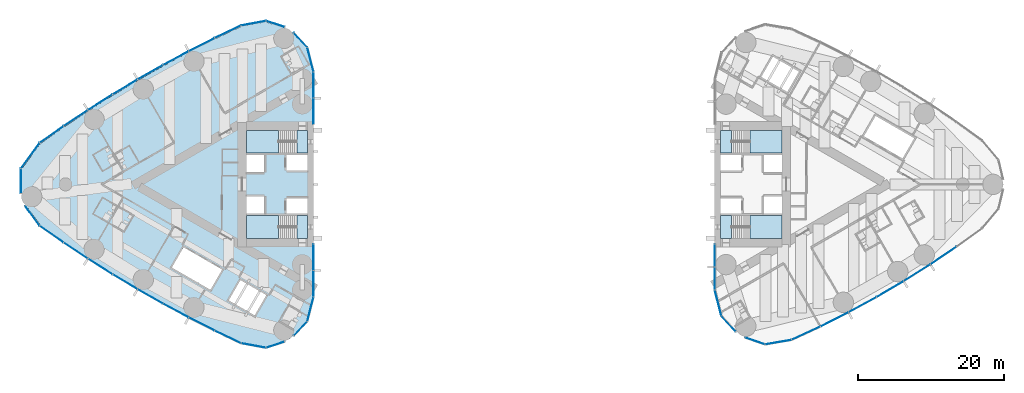
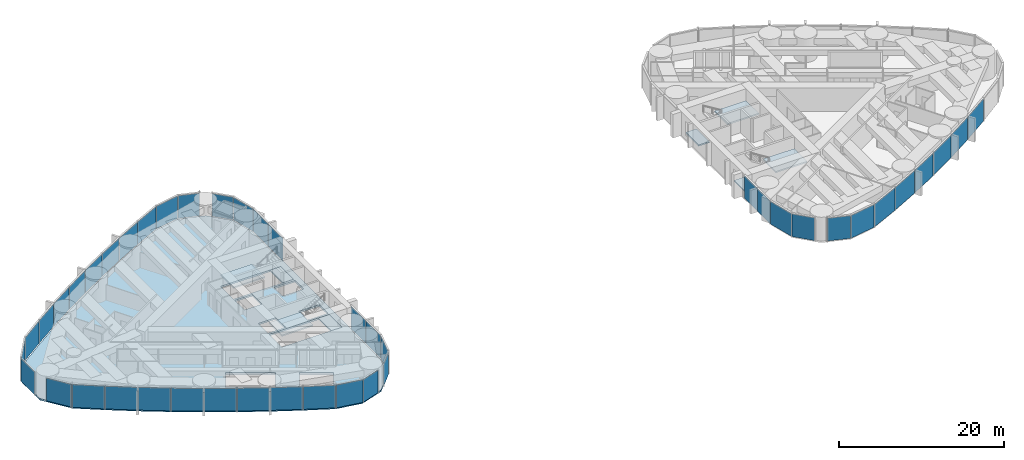
# One storey, part 10 of 19: 43 plates, 9 slabs, 10 elements without a shape of their own.
"""IFC4 building model written with IfcOpenShell, lengths in metres."""

from ifc_helpers import new_model, si_unit, direction, frame, origin, origin_2d, place, context, subcontext, project, spatial, polyline, rectangle, outline, extrude, material, layer, layer_set, type_object, element, aggregate, save


model = new_model("IFC4")

# Units and contexts
model_context = context("Model", 3, precision=1e-05, world=origin(), true_north=direction((0.0, 1.0)))
body_context = subcontext(model_context, "Body", "Model", "MODEL_VIEW")
ifc_project = project(units=[si_unit("LENGTHUNIT", "METRE"), si_unit("AREAUNIT", "SQUARE_METRE"), si_unit("VOLUMEUNIT", "CUBIC_METRE"), si_unit("PLANEANGLEUNIT", "RADIAN"), si_unit("MASSUNIT", "GRAM", prefix="KILO")], contexts=[model_context])

# Site, building, storey
site_placement = place(None, origin())
site = spatial("IfcSite", under=ifc_project, at=site_placement, CompositionType="ELEMENT")
building_placement = place(site_placement, origin())
building = spatial("IfcBuilding", under=site, at=building_placement, Name="Lancet Gate Hotel", CompositionType="ELEMENT")
storey_placement = place(building_placement, frame((0.0, 0.0, 159.800048828125)))
storey = spatial("IfcBuildingStorey", under=building, at=storey_placement, Name="L42", CompositionType="ELEMENT", Elevation=159.800048828125)

# Slab
ifc_material_1 = material(Name="Concrete C50/60", Category="concrete")
ifc_layer_1 = layer(ifc_material_1, 0.25)
ifc_layer_set_1 = layer_set([ifc_layer_1], Name="Floor slab 250")
slab_type_1 = type_object("IfcSlabType", Name="Floor slab 250", PredefinedType="FLOOR", material=ifc_layer_set_1)
slab_1_placement = place(storey_placement, frame((0.0, 0.0, -0.25)))
element("IfcSlab", 1, at=slab_1_placement, inside=storey, type_object=slab_type_1, Name="T1 L42 floor slab", PredefinedType="FLOOR", context=body_context, shape_type="SweptSolid", body=[
    extrude(outline(polyline([(-27.5, 8.60009765625), (-27.6201171875, 8.60009765625), (-27.6201171875, 15.408203125), (-28.46923828125, 18.7265625), (-30.797607421875, 21.217529296875), (-34.0361328125, 22.283935546875), (-37.403564453125, 21.660400390625), (-40.996826171875, 19.9453125), (-44.561767578125, 18.139404296875), (-48.0830078125, 16.250244140625), (-51.558837890625, 14.27880859375), (-54.987548828125, 12.22607421875), (-58.366943359375, 10.09326171875), (-61.695068359375, 7.881591796875), (-64.955322265625, 5.602783203125), (-67.49560546875, 2.138427734375), (-67.49560546875, -2.138427734375), (-64.955322265625, -5.602783203125), (-61.695068359375, -7.881591796875), (-58.366943359375, -10.09326171875), (-54.987548828125, -12.22607421875), (-51.558837890625, -14.27880859375), (-48.0830078125, -16.250244140625), (-44.561767578125, -18.139404296875), (-40.996826171875, -19.9453125), (-37.403564453125, -21.660400390625), (-34.0361328125, -22.283935546875), (-30.797607421875, -21.217529296875), (-28.46923828125, -18.7265625), (-27.6201171875, -15.408203125), (-27.6201171875, -8.60009765625), (-27.5, -8.60009765625), (-27.5, -8.199951171875), (-27.5, 8.199951171875), (-27.5, 8.60009765625)]), holes=[polyline([(-36.699951171875, 7.39990234375), (-36.699951171875, 4.300048828125), (-28.300048828125, 4.300048828125), (-28.300048828125, 7.39990234375), (-36.699951171875, 7.39990234375)]), polyline([(-28.300048828125, 4.0), (-31.199951171875, 4.0), (-31.199951171875, 1.89990234375), (-28.300048828125, 1.89990234375), (-28.300048828125, 4.0)]), polyline([(-34.25, 4.0), (-36.699951171875, 4.0), (-36.699951171875, 1.64990234375), (-34.25, 1.64990234375), (-34.25, 4.0)]), polyline([(-36.699951171875, -1.64990234375), (-36.699951171875, -4.0), (-34.25, -4.0), (-34.25, -1.64990234375), (-36.699951171875, -1.64990234375)]), polyline([(-28.300048828125, -1.89990234375), (-31.199951171875, -1.89990234375), (-31.199951171875, -4.0), (-28.300048828125, -4.0), (-28.300048828125, -1.89990234375)]), polyline([(-28.300048828125, -4.300048828125), (-36.699951171875, -4.300048828125), (-36.699951171875, -7.39990234375), (-28.300048828125, -7.39990234375), (-28.300048828125, -4.300048828125)]), polyline([(-40.035888671875, -11.680908203125), (-45.319091796875, -8.631103515625), (-46.9189453125, -11.402099609375), (-41.635986328125, -14.451904296875), (-40.035888671875, -11.680908203125)]), polyline([(-33.97412109375, -15.180908203125), (-37.52490234375, -13.131103515625), (-39.125, -15.902099609375), (-35.573974609375, -17.951904296875), (-33.97412109375, -15.180908203125)])]), origin(), (0.0, 0.0, 1.0), 0.25),
])

# Stair, slabs
ifc_material_2 = material(Name="Exit stair 20 risers 1500")
stair_type = type_object("IfcStairType", Name="Exit stair 20 risers 1500", PredefinedType="HALF_TURN_STAIR", material=ifc_material_2)
stair_1_placement = place(storey_placement, origin())
stair_1 = element("IfcStair", 2, at=stair_1_placement, inside=storey, type_object=stair_type, Name="T1 stair 1 L42", PredefinedType="HALF_TURN_STAIR")
ifc_material_3 = material(Name="Concrete C40/50", Category="concrete")
ifc_layer_2 = layer(ifc_material_3, 0.199951171875)
ifc_layer_set_2 = layer_set([ifc_layer_2], Name="Stair landing 200")
slab_type_2 = type_object("IfcSlabType", Name="Stair landing 200", PredefinedType="LANDING", material=ifc_layer_set_2)
slab_2_placement = place(storey_placement, frame((0.0, 0.0, -0.199951171875)))
slab_2 = element("IfcSlab", 3, at=slab_2_placement, type_object=slab_type_2, Name="ST1 landing 1", PredefinedType="LANDING", context=body_context, shape_type="SweptSolid", body=[
    extrude(outline(polyline([(-28.300048828125, 7.39990234375), (-29.800048828125, 7.39990234375), (-29.800048828125, 4.300048828125), (-28.300048828125, 4.300048828125), (-28.300048828125, 7.39990234375)])), origin(), (0.0, 0.0, 1.0), 0.199951171875),
])
slab_3_placement = place(storey_placement, frame((0.0, 0.0, 1.550048828125)))
slab_3 = element("IfcSlab", 4, at=slab_3_placement, type_object=slab_type_2, Name="ST1 landing 2", PredefinedType="LANDING", context=body_context, shape_type="SweptSolid", body=[
    extrude(outline(polyline([(-32.320068359375, 7.39990234375), (-36.699951171875, 7.39990234375), (-36.699951171875, 4.300048828125), (-32.320068359375, 4.300048828125), (-32.320068359375, 7.39990234375)])), origin(), (0.0, 0.0, 1.0), 0.199951171875),
])
aggregate(stair_1, [slab_2, slab_3])

stair_2_placement = place(storey_placement, origin())
stair_2 = element("IfcStair", 5, at=stair_2_placement, inside=storey, type_object=stair_type, Name="T1 stair 2 L42", PredefinedType="HALF_TURN_STAIR")
slab_4_placement = place(storey_placement, frame((0.0, 0.0, -0.199951171875)))
slab_4 = element("IfcSlab", 6, at=slab_4_placement, type_object=slab_type_2, Name="ST2 landing 1", PredefinedType="LANDING", context=body_context, shape_type="SweptSolid", body=[
    extrude(outline(polyline([(-28.300048828125, -4.300048828125), (-29.800048828125, -4.300048828125), (-29.800048828125, -7.39990234375), (-28.300048828125, -7.39990234375), (-28.300048828125, -4.300048828125)])), origin(), (0.0, 0.0, 1.0), 0.199951171875),
])
slab_5_placement = place(storey_placement, frame((0.0, 0.0, 1.550048828125)))
slab_5 = element("IfcSlab", 7, at=slab_5_placement, type_object=slab_type_2, Name="ST2 landing 2", PredefinedType="LANDING", context=body_context, shape_type="SweptSolid", body=[
    extrude(outline(polyline([(-32.320068359375, -4.300048828125), (-36.699951171875, -4.300048828125), (-36.699951171875, -7.39990234375), (-32.320068359375, -7.39990234375), (-32.320068359375, -4.300048828125)])), origin(), (0.0, 0.0, 1.0), 0.199951171875),
])
aggregate(stair_2, [slab_4, slab_5])

stair_3_placement = place(storey_placement, origin())
stair_3 = element("IfcStair", 8, at=stair_3_placement, inside=storey, type_object=stair_type, Name="T2 stair 1 L42", PredefinedType="HALF_TURN_STAIR")
slab_6_placement = place(storey_placement, frame((0.0, 0.0, -0.199951171875)))
slab_6 = element("IfcSlab", 9, at=slab_6_placement, type_object=slab_type_2, Name="ST3 landing 1", PredefinedType="LANDING", context=body_context, shape_type="SweptSolid", body=[
    extrude(outline(polyline([(28.300048828125, -7.39990234375), (29.800048828125, -7.39990234375), (29.800048828125, -4.300048828125), (28.300048828125, -4.300048828125), (28.300048828125, -7.39990234375)])), origin(), (0.0, 0.0, 1.0), 0.199951171875),
])
slab_7_placement = place(storey_placement, frame((0.0, 0.0, 1.550048828125)))
slab_7 = element("IfcSlab", 10, at=slab_7_placement, type_object=slab_type_2, Name="ST3 landing 2", PredefinedType="LANDING", context=body_context, shape_type="SweptSolid", body=[
    extrude(outline(polyline([(32.320068359375, -7.39990234375), (36.699951171875, -7.39990234375), (36.699951171875, -4.300048828125), (32.320068359375, -4.300048828125), (32.320068359375, -7.39990234375)])), origin(), (0.0, 0.0, 1.0), 0.199951171875),
])
aggregate(stair_3, [slab_6, slab_7])

stair_4_placement = place(storey_placement, origin())
stair_4 = element("IfcStair", 11, at=stair_4_placement, inside=storey, type_object=stair_type, Name="T2 stair 2 L42", PredefinedType="HALF_TURN_STAIR")
slab_8_placement = place(storey_placement, frame((0.0, 0.0, -0.199951171875)))
slab_8 = element("IfcSlab", 12, at=slab_8_placement, type_object=slab_type_2, Name="ST4 landing 1", PredefinedType="LANDING", context=body_context, shape_type="SweptSolid", body=[
    extrude(outline(polyline([(28.300048828125, 4.300048828125), (29.800048828125, 4.300048828125), (29.800048828125, 7.39990234375), (28.300048828125, 7.39990234375), (28.300048828125, 4.300048828125)])), origin(), (0.0, 0.0, 1.0), 0.199951171875),
])
slab_9_placement = place(storey_placement, frame((0.0, 0.0, 1.550048828125)))
slab_9 = element("IfcSlab", 13, at=slab_9_placement, type_object=slab_type_2, Name="ST4 landing 2", PredefinedType="LANDING", context=body_context, shape_type="SweptSolid", body=[
    extrude(outline(polyline([(32.320068359375, 4.300048828125), (36.699951171875, 4.300048828125), (36.699951171875, 7.39990234375), (32.320068359375, 7.39990234375), (32.320068359375, 4.300048828125)])), origin(), (0.0, 0.0, 1.0), 0.199951171875),
])
aggregate(stair_4, [slab_8, slab_9])

# Curtain wall, plates
ifc_material_4 = material(Name="Aluminium curtain wall", Category="aluminium")
curtain_wall_type = type_object("IfcCurtainWallType", Name="Tower unitised curtain wall", PredefinedType="USERDEFINED", material=ifc_material_4)
curtain_wall_1_placement = place(storey_placement, origin())
curtain_wall_1 = element("IfcCurtainWall", 14, at=curtain_wall_1_placement, inside=storey, type_object=curtain_wall_type, Name="T1 L42 curtain wall 1", ObjectType="UNITISED CURTAIN WALL", PredefinedType="USERDEFINED")
ifc_material_5 = material(Name="Glass double glazed unit 8-16-6", Category="glass")
ifc_layer_3 = layer(ifc_material_5, 0.030029296875)
ifc_layer_set_3 = layer_set([ifc_layer_3], Name="Vision panel double glazed")
plate_type = type_object("IfcPlateType", Name="Vision panel double glazed", PredefinedType="CURTAIN_PANEL", material=ifc_layer_set_3)
plate_1_placement = place(storey_placement, frame((-27.5, 10.005859375, 0.0), z_axis=(0.0, 0.0, 1.0), x_axis=(0.0, 1.0, 0.0)))
plate_1 = element("IfcPlate", 15, at=plate_1_placement, type_object=plate_type, Name="T1 L42 curtain wall 1 panel 1", PredefinedType="CURTAIN_PANEL", context=body_context, shape_type="SweptSolid", body=[
    extrude(rectangle(XDim=3.546630859375, YDim=0.030029296875, at=origin_2d()), origin(), (0.0, 0.0, 1.0), 3.35009765625),
])
plate_2_placement = place(storey_placement, frame((-27.5, 13.617431640625, 0.0), z_axis=(0.0, 0.0, 1.0), x_axis=(0.0, 1.0, 0.0)))
plate_2 = element("IfcPlate", 16, at=plate_2_placement, type_object=plate_type, Name="T1 L42 curtain wall 1 panel 2", PredefinedType="CURTAIN_PANEL", context=body_context, shape_type="SweptSolid", body=[
    extrude(rectangle(XDim=3.546630859375, YDim=0.030029296875, at=origin_2d()), origin(), (0.0, 0.0, 1.0), 3.35009765625),
])
plate_3_placement = place(storey_placement, frame((-27.930419921875, 17.104736328125, 0.0), z_axis=(0.0, 0.0, 1.0), x_axis=(-0.247936754654, 0.968776220647, 0.0)))
plate_3 = element("IfcPlate", 17, at=plate_3_placement, type_object=plate_type, Name="T1 L42 curtain wall 1 panel 3", PredefinedType="CURTAIN_PANEL", context=body_context, shape_type="SweptSolid", body=[
    extrude(rectangle(XDim=3.406005859375, YDim=0.030029296875, at=origin_2d()), origin(), (0.0, 0.0, 1.0), 3.35009765625),
])
plate_4_placement = place(storey_placement, frame((-29.28564453125, 19.77587890625, 0.0), z_axis=(0.0, 0.0, 1.0), x_axis=(-0.682844962172, 0.730563315282, 0.0)))
plate_4 = element("IfcPlate", 18, at=plate_4_placement, type_object=plate_type, Name="T1 L42 curtain wall 1 panel 4", PredefinedType="CURTAIN_PANEL", context=body_context, shape_type="SweptSolid", body=[
    extrude(rectangle(XDim=2.64453125, YDim=0.030029296875, at=origin_2d()), origin(), (0.0, 0.0, 1.0), 3.35009765625),
])
aggregate(curtain_wall_1, [plate_1, plate_2, plate_3, plate_4])

curtain_wall_2_placement = place(storey_placement, origin())
curtain_wall_2 = element("IfcCurtainWall", 19, at=curtain_wall_2_placement, inside=storey, type_object=curtain_wall_type, Name="T1 L42 curtain wall 2", ObjectType="UNITISED CURTAIN WALL", PredefinedType="USERDEFINED")
plate_5_placement = place(storey_placement, frame((-32.740234375, 21.983642578125, 0.0), z_axis=(0.0, 0.0, 1.0), x_axis=(-0.949848055084, 0.312711803827, 0.0)))
plate_5 = element("IfcPlate", 20, at=plate_5_placement, type_object=plate_type, Name="T1 L42 curtain wall 2 panel 1", PredefinedType="CURTAIN_PANEL", context=body_context, shape_type="SweptSolid", body=[
    extrude(rectangle(XDim=2.64599609375, YDim=0.030029296875, at=origin_2d()), origin(), (0.0, 0.0, 1.0), 3.35009765625),
])
plate_6_placement = place(storey_placement, frame((-35.734375, 22.091552734375, 0.0), z_axis=(0.0, 0.0, 1.0), x_axis=(-0.983292499426, -0.182032581075, 0.0)))
plate_6 = element("IfcPlate", 21, at=plate_6_placement, type_object=plate_type, Name="T1 L42 curtain wall 2 panel 2", PredefinedType="CURTAIN_PANEL", context=body_context, shape_type="SweptSolid", body=[
    extrude(rectangle(XDim=3.406005859375, YDim=0.030029296875, at=origin_2d()), origin(), (0.0, 0.0, 1.0), 3.35009765625),
])
plate_7_placement = place(storey_placement, frame((-39.245361328125, 20.914306640625, 0.0), z_axis=(0.0, 0.0, 1.0), x_axis=(-0.902453530018, -0.430787216799, 0.0)))
plate_7 = element("IfcPlate", 22, at=plate_7_placement, type_object=plate_type, Name="T1 L42 curtain wall 2 panel 3", PredefinedType="CURTAIN_PANEL", context=body_context, shape_type="SweptSolid", body=[
    extrude(rectangle(XDim=3.933837890625, YDim=0.030029296875, at=origin_2d()), origin(), (0.0, 0.0, 1.0), 3.35009765625),
])
plate_8_placement = place(storey_placement, frame((-42.83349609375, 19.1494140625, 0.0), z_axis=(0.0, 0.0, 1.0), x_axis=(-0.892071119911, -0.451895028762, 0.0)))
plate_8 = element("IfcPlate", 23, at=plate_8_placement, type_object=plate_type, Name="T1 L42 curtain wall 2 panel 4", PredefinedType="CURTAIN_PANEL", context=body_context, shape_type="SweptSolid", body=[
    extrude(rectangle(XDim=3.933837890625, YDim=0.030029296875, at=origin_2d()), origin(), (0.0, 0.0, 1.0), 3.35009765625),
])
plate_9_placement = place(storey_placement, frame((-46.379150390625, 17.300537109375, 0.0), z_axis=(0.0, 0.0, 1.0), x_axis=(-0.881195096384, -0.472752791751, 0.0)))
plate_9 = element("IfcPlate", 24, at=plate_9_placement, type_object=plate_type, Name="T1 L42 curtain wall 2 panel 5", PredefinedType="CURTAIN_PANEL", context=body_context, shape_type="SweptSolid", body=[
    extrude(rectangle(XDim=3.933837890625, YDim=0.030029296875, at=origin_2d()), origin(), (0.0, 0.0, 1.0), 3.35009765625),
])
plate_10_placement = place(storey_placement, frame((-49.880126953125, 15.368896484375, 0.0), z_axis=(0.0, 0.0, 1.0), x_axis=(-0.869831477496, -0.493348964484, 0.0)))
plate_10 = element("IfcPlate", 25, at=plate_10_placement, type_object=plate_type, Name="T1 L42 curtain wall 2 panel 6", PredefinedType="CURTAIN_PANEL", context=body_context, shape_type="SweptSolid", body=[
    extrude(rectangle(XDim=3.933837890625, YDim=0.030029296875, at=origin_2d()), origin(), (0.0, 0.0, 1.0), 3.35009765625),
])
plate_11_placement = place(storey_placement, frame((-53.3349609375, 13.35546875, 0.0), z_axis=(0.0, 0.0, 1.0), x_axis=(-0.857986551132, -0.51367215038, 0.0)))
plate_11 = element("IfcPlate", 26, at=plate_11_placement, type_object=plate_type, Name="T1 L42 curtain wall 2 panel 7", PredefinedType="CURTAIN_PANEL", context=body_context, shape_type="SweptSolid", body=[
    extrude(rectangle(XDim=3.933837890625, YDim=0.030029296875, at=origin_2d()), origin(), (0.0, 0.0, 1.0), 3.35009765625),
])
plate_12_placement = place(storey_placement, frame((-56.7412109375, 11.26123046875, 0.0), z_axis=(0.0, 0.0, 1.0), x_axis=(-0.845666871497, -0.533711103925, 0.0)))
plate_12 = element("IfcPlate", 27, at=plate_12_placement, type_object=plate_type, Name="T1 L42 curtain wall 2 panel 8", PredefinedType="CURTAIN_PANEL", context=body_context, shape_type="SweptSolid", body=[
    extrude(rectangle(XDim=3.933837890625, YDim=0.030029296875, at=origin_2d()), origin(), (0.0, 0.0, 1.0), 3.35009765625),
])
plate_13_placement = place(storey_placement, frame((-60.097412109375, 9.08740234375, 0.0), z_axis=(0.0, 0.0, 1.0), x_axis=(-0.832879255498, -0.553454736867, 0.0)))
plate_13 = element("IfcPlate", 28, at=plate_13_placement, type_object=plate_type, Name="T1 L42 curtain wall 2 panel 9", PredefinedType="CURTAIN_PANEL", context=body_context, shape_type="SweptSolid", body=[
    extrude(rectangle(XDim=3.933837890625, YDim=0.030029296875, at=origin_2d()), origin(), (0.0, 0.0, 1.0), 3.35009765625),
])
plate_14_placement = place(storey_placement, frame((-63.401611328125, 6.835205078125, 0.0), z_axis=(0.0, 0.0, 1.0), x_axis=(-0.819630778943, -0.572892124409, 0.0)))
plate_14 = element("IfcPlate", 29, at=plate_14_placement, type_object=plate_type, Name="T1 L42 curtain wall 2 panel 10", PredefinedType="CURTAIN_PANEL", context=body_context, shape_type="SweptSolid", body=[
    extrude(rectangle(XDim=3.933837890625, YDim=0.030029296875, at=origin_2d()), origin(), (0.0, 0.0, 1.0), 3.35009765625),
])
plate_15_placement = place(storey_placement, frame((-66.328125, 3.933837890625, 0.0), z_axis=(0.0, 0.0, 1.0), x_axis=(-0.591299785592, -0.806451835858, 0.0)))
plate_15 = element("IfcPlate", 30, at=plate_15_placement, type_object=plate_type, Name="T1 L42 curtain wall 2 panel 11", PredefinedType="CURTAIN_PANEL", context=body_context, shape_type="SweptSolid", body=[
    extrude(rectangle(XDim=4.290283203125, YDim=0.030029296875, at=origin_2d()), origin(), (0.0, 0.0, 1.0), 3.35009765625),
])
plate_16_placement = place(storey_placement, frame((-67.61572265625, 0.478515625, 0.0), z_axis=(0.0, 0.0, 1.0), x_axis=(0.0, -1.0, 0.0)))
plate_16 = element("IfcPlate", 31, at=plate_16_placement, type_object=plate_type, Name="T1 L42 curtain wall 2 panel 12", PredefinedType="CURTAIN_PANEL", context=body_context, shape_type="SweptSolid", body=[
    extrude(rectangle(XDim=3.333251953125, YDim=0.030029296875, at=origin_2d()), origin(), (0.0, 0.0, 1.0), 3.35009765625),
])
aggregate(curtain_wall_2, [plate_5, plate_6, plate_7, plate_8, plate_9, plate_10, plate_11, plate_12, plate_13, plate_14, plate_15, plate_16])

curtain_wall_3_placement = place(storey_placement, origin())
curtain_wall_3 = element("IfcCurtainWall", 32, at=curtain_wall_3_placement, inside=storey, type_object=curtain_wall_type, Name="T1 L42 curtain wall 3", ObjectType="UNITISED CURTAIN WALL", PredefinedType="USERDEFINED")
plate_17_placement = place(storey_placement, frame((-66.04541015625, -4.3193359375, 0.0), z_axis=(0.0, 0.0, 1.0), x_axis=(0.591299785592, -0.806451835858, 0.0)))
plate_17 = element("IfcPlate", 33, at=plate_17_placement, type_object=plate_type, Name="T1 L42 curtain wall 3 panel 1", PredefinedType="CURTAIN_PANEL", context=body_context, shape_type="SweptSolid", body=[
    extrude(rectangle(XDim=3.334228515625, YDim=0.030029296875, at=origin_2d()), origin(), (0.0, 0.0, 1.0), 3.35009765625),
])
plate_18_placement = place(storey_placement, frame((-63.401611328125, -6.835205078125, 0.0), z_axis=(0.0, 0.0, 1.0), x_axis=(0.819630778943, -0.572892124409, 0.0)))
plate_18 = element("IfcPlate", 34, at=plate_18_placement, type_object=plate_type, Name="T1 L42 curtain wall 3 panel 2", PredefinedType="CURTAIN_PANEL", context=body_context, shape_type="SweptSolid", body=[
    extrude(rectangle(XDim=3.933837890625, YDim=0.030029296875, at=origin_2d()), origin(), (0.0, 0.0, 1.0), 3.35009765625),
])
plate_19_placement = place(storey_placement, frame((-60.097412109375, -9.08740234375, 0.0), z_axis=(0.0, 0.0, 1.0), x_axis=(0.832879255498, -0.553454736867, 0.0)))
plate_19 = element("IfcPlate", 35, at=plate_19_placement, type_object=plate_type, Name="T1 L42 curtain wall 3 panel 3", PredefinedType="CURTAIN_PANEL", context=body_context, shape_type="SweptSolid", body=[
    extrude(rectangle(XDim=3.933837890625, YDim=0.030029296875, at=origin_2d()), origin(), (0.0, 0.0, 1.0), 3.35009765625),
])
plate_20_placement = place(storey_placement, frame((-56.7412109375, -11.26123046875, 0.0), z_axis=(0.0, 0.0, 1.0), x_axis=(0.845666871497, -0.533711103925, 0.0)))
plate_20 = element("IfcPlate", 36, at=plate_20_placement, type_object=plate_type, Name="T1 L42 curtain wall 3 panel 4", PredefinedType="CURTAIN_PANEL", context=body_context, shape_type="SweptSolid", body=[
    extrude(rectangle(XDim=3.933837890625, YDim=0.030029296875, at=origin_2d()), origin(), (0.0, 0.0, 1.0), 3.35009765625),
])
plate_21_placement = place(storey_placement, frame((-53.3349609375, -13.35546875, 0.0), z_axis=(0.0, 0.0, 1.0), x_axis=(0.857986551132, -0.51367215038, 0.0)))
plate_21 = element("IfcPlate", 37, at=plate_21_placement, type_object=plate_type, Name="T1 L42 curtain wall 3 panel 5", PredefinedType="CURTAIN_PANEL", context=body_context, shape_type="SweptSolid", body=[
    extrude(rectangle(XDim=3.933837890625, YDim=0.030029296875, at=origin_2d()), origin(), (0.0, 0.0, 1.0), 3.35009765625),
])
plate_22_placement = place(storey_placement, frame((-49.880126953125, -15.368896484375, 0.0), z_axis=(0.0, 0.0, 1.0), x_axis=(0.869831477496, -0.493348964484, 0.0)))
plate_22 = element("IfcPlate", 38, at=plate_22_placement, type_object=plate_type, Name="T1 L42 curtain wall 3 panel 6", PredefinedType="CURTAIN_PANEL", context=body_context, shape_type="SweptSolid", body=[
    extrude(rectangle(XDim=3.933837890625, YDim=0.030029296875, at=origin_2d()), origin(), (0.0, 0.0, 1.0), 3.35009765625),
])
plate_23_placement = place(storey_placement, frame((-46.379150390625, -17.300537109375, 0.0), z_axis=(0.0, 0.0, 1.0), x_axis=(0.881195096384, -0.472752791751, 0.0)))
plate_23 = element("IfcPlate", 39, at=plate_23_placement, type_object=plate_type, Name="T1 L42 curtain wall 3 panel 7", PredefinedType="CURTAIN_PANEL", context=body_context, shape_type="SweptSolid", body=[
    extrude(rectangle(XDim=3.933837890625, YDim=0.030029296875, at=origin_2d()), origin(), (0.0, 0.0, 1.0), 3.35009765625),
])
plate_24_placement = place(storey_placement, frame((-42.83349609375, -19.1494140625, 0.0), z_axis=(0.0, 0.0, 1.0), x_axis=(0.892071119911, -0.451895028762, 0.0)))
plate_24 = element("IfcPlate", 40, at=plate_24_placement, type_object=plate_type, Name="T1 L42 curtain wall 3 panel 8", PredefinedType="CURTAIN_PANEL", context=body_context, shape_type="SweptSolid", body=[
    extrude(rectangle(XDim=3.933837890625, YDim=0.030029296875, at=origin_2d()), origin(), (0.0, 0.0, 1.0), 3.35009765625),
])
plate_25_placement = place(storey_placement, frame((-39.245361328125, -20.914306640625, 0.0), z_axis=(0.0, 0.0, 1.0), x_axis=(0.902453530018, -0.430787216799, 0.0)))
plate_25 = element("IfcPlate", 41, at=plate_25_placement, type_object=plate_type, Name="T1 L42 curtain wall 3 panel 9", PredefinedType="CURTAIN_PANEL", context=body_context, shape_type="SweptSolid", body=[
    extrude(rectangle(XDim=3.933837890625, YDim=0.030029296875, at=origin_2d()), origin(), (0.0, 0.0, 1.0), 3.35009765625),
])
plate_26_placement = place(storey_placement, frame((-35.734375, -22.091552734375, 0.0), z_axis=(0.0, 0.0, 1.0), x_axis=(0.983292499426, -0.182032581075, 0.0)))
plate_26 = element("IfcPlate", 42, at=plate_26_placement, type_object=plate_type, Name="T1 L42 curtain wall 3 panel 10", PredefinedType="CURTAIN_PANEL", context=body_context, shape_type="SweptSolid", body=[
    extrude(rectangle(XDim=3.406005859375, YDim=0.030029296875, at=origin_2d()), origin(), (0.0, 0.0, 1.0), 3.35009765625),
])
plate_27_placement = place(storey_placement, frame((-32.740234375, -21.983642578125, 0.0), z_axis=(0.0, 0.0, 1.0), x_axis=(0.949848055084, 0.312711803827, 0.0)))
plate_27 = element("IfcPlate", 43, at=plate_27_placement, type_object=plate_type, Name="T1 L42 curtain wall 3 panel 11", PredefinedType="CURTAIN_PANEL", context=body_context, shape_type="SweptSolid", body=[
    extrude(rectangle(XDim=2.64599609375, YDim=0.030029296875, at=origin_2d()), origin(), (0.0, 0.0, 1.0), 3.35009765625),
])
aggregate(curtain_wall_3, [plate_17, plate_18, plate_19, plate_20, plate_21, plate_22, plate_23, plate_24, plate_25, plate_26, plate_27])

curtain_wall_4_placement = place(storey_placement, origin())
curtain_wall_4 = element("IfcCurtainWall", 44, at=curtain_wall_4_placement, inside=storey, type_object=curtain_wall_type, Name="T1 L42 curtain wall 4", ObjectType="UNITISED CURTAIN WALL", PredefinedType="USERDEFINED")
plate_28_placement = place(storey_placement, frame((-29.28564453125, -19.77587890625, 0.0), z_axis=(0.0, 0.0, 1.0), x_axis=(0.682844962172, 0.730563315282, 0.0)))
plate_28 = element("IfcPlate", 45, at=plate_28_placement, type_object=plate_type, Name="T1 L42 curtain wall 4 panel 1", PredefinedType="CURTAIN_PANEL", context=body_context, shape_type="SweptSolid", body=[
    extrude(rectangle(XDim=2.64453125, YDim=0.030029296875, at=origin_2d()), origin(), (0.0, 0.0, 1.0), 3.35009765625),
])
plate_29_placement = place(storey_placement, frame((-27.930419921875, -17.104736328125, 0.0), z_axis=(0.0, 0.0, 1.0), x_axis=(0.247936754654, 0.968776220647, 0.0)))
plate_29 = element("IfcPlate", 46, at=plate_29_placement, type_object=plate_type, Name="T1 L42 curtain wall 4 panel 2", PredefinedType="CURTAIN_PANEL", context=body_context, shape_type="SweptSolid", body=[
    extrude(rectangle(XDim=3.406005859375, YDim=0.030029296875, at=origin_2d()), origin(), (0.0, 0.0, 1.0), 3.35009765625),
])
plate_30_placement = place(storey_placement, frame((-27.5, -13.617431640625, 0.0), z_axis=(0.0, 0.0, 1.0), x_axis=(0.0, 1.0, 0.0)))
plate_30 = element("IfcPlate", 47, at=plate_30_placement, type_object=plate_type, Name="T1 L42 curtain wall 4 panel 3", PredefinedType="CURTAIN_PANEL", context=body_context, shape_type="SweptSolid", body=[
    extrude(rectangle(XDim=3.546630859375, YDim=0.030029296875, at=origin_2d()), origin(), (0.0, 0.0, 1.0), 3.35009765625),
])
plate_31_placement = place(storey_placement, frame((-27.5, -10.005859375, 0.0), z_axis=(0.0, 0.0, 1.0), x_axis=(0.0, 1.0, 0.0)))
plate_31 = element("IfcPlate", 48, at=plate_31_placement, type_object=plate_type, Name="T1 L42 curtain wall 4 panel 4", PredefinedType="CURTAIN_PANEL", context=body_context, shape_type="SweptSolid", body=[
    extrude(rectangle(XDim=3.546630859375, YDim=0.030029296875, at=origin_2d()), origin(), (0.0, 0.0, 1.0), 3.35009765625),
])
aggregate(curtain_wall_4, [plate_28, plate_29, plate_30, plate_31])

curtain_wall_5_placement = place(storey_placement, origin())
curtain_wall_5 = element("IfcCurtainWall", 49, at=curtain_wall_5_placement, inside=storey, type_object=curtain_wall_type, Name="T2 L42 curtain wall 1", ObjectType="UNITISED CURTAIN WALL", PredefinedType="USERDEFINED")
plate_32_placement = place(storey_placement, frame((27.5, -9.766357421875, 0.0), z_axis=(0.0, 0.0, 1.0), x_axis=(0.0, -1.0, 0.0)))
plate_32 = element("IfcPlate", 50, at=plate_32_placement, type_object=plate_type, Name="T2 L42 curtain wall 1 panel 1", PredefinedType="CURTAIN_PANEL", context=body_context, shape_type="SweptSolid", body=[
    extrude(rectangle(XDim=3.06787109375, YDim=0.030029296875, at=origin_2d()), origin(), (0.0, 0.0, 1.0), 3.35009765625),
])
plate_33_placement = place(storey_placement, frame((27.5, -12.899169921875, 0.0), z_axis=(0.0, 0.0, 1.0), x_axis=(0.0, -1.0, 0.0)))
plate_33 = element("IfcPlate", 51, at=plate_33_placement, type_object=plate_type, Name="T2 L42 curtain wall 1 panel 2", PredefinedType="CURTAIN_PANEL", context=body_context, shape_type="SweptSolid", body=[
    extrude(rectangle(XDim=3.06787109375, YDim=0.030029296875, at=origin_2d()), origin(), (0.0, 0.0, 1.0), 3.35009765625),
])
plate_34_placement = place(storey_placement, frame((27.95458984375, -16.2548828125, 0.0), z_axis=(0.0, 0.0, 1.0), x_axis=(0.246166705764, -0.969227503207, 0.0)))
plate_34 = element("IfcPlate", 52, at=plate_34_placement, type_object=plate_type, Name="T2 L42 curtain wall 1 panel 3", PredefinedType="CURTAIN_PANEL", context=body_context, shape_type="SweptSolid", body=[
    extrude(rectangle(XDim=3.62744140625, YDim=0.030029296875, at=origin_2d()), origin(), (0.0, 0.0, 1.0), 3.35009765625),
])
plate_35_placement = place(storey_placement, frame((29.4052734375, -19.122314453125, 0.0), z_axis=(0.0, 0.0, 1.0), x_axis=(0.67883123083, -0.734294327943, 0.0)))
plate_35 = element("IfcPlate", 53, at=plate_35_placement, type_object=plate_type, Name="T2 L42 curtain wall 1 panel 4", PredefinedType="CURTAIN_PANEL", context=body_context, shape_type="SweptSolid", body=[
    extrude(rectangle(XDim=2.87060546875, YDim=0.030029296875, at=origin_2d()), origin(), (0.0, 0.0, 1.0), 3.35009765625),
])
aggregate(curtain_wall_5, [plate_32, plate_33, plate_34, plate_35])

curtain_wall_6_placement = place(storey_placement, origin())
curtain_wall_6 = element("IfcCurtainWall", 54, at=curtain_wall_6_placement, inside=storey, type_object=curtain_wall_type, Name="T2 L42 curtain wall 2", ObjectType="UNITISED CURTAIN WALL", PredefinedType="USERDEFINED")
plate_36_placement = place(storey_placement, frame((33.02197265625, -21.470703125, 0.0), z_axis=(0.0, 0.0, 1.0), x_axis=(0.946952368511, -0.321373943827, 0.0)))
plate_36 = element("IfcPlate", 55, at=plate_36_placement, type_object=plate_type, Name="T2 L42 curtain wall 2 panel 1", PredefinedType="CURTAIN_PANEL", context=body_context, shape_type="SweptSolid", body=[
    extrude(rectangle(XDim=2.871337890625, YDim=0.030029296875, at=origin_2d()), origin(), (0.0, 0.0, 1.0), 3.35009765625),
])
plate_37_placement = place(storey_placement, frame((36.231689453125, -21.629638671875, 0.0), z_axis=(0.0, 0.0, 1.0), x_axis=(0.985539649572, 0.169444973729, 0.0)))
plate_37 = element("IfcPlate", 56, at=plate_37_placement, type_object=plate_type, Name="T2 L42 curtain wall 2 panel 2", PredefinedType="CURTAIN_PANEL", context=body_context, shape_type="SweptSolid", body=[
    extrude(rectangle(XDim=3.62744140625, YDim=0.030029296875, at=origin_2d()), origin(), (0.0, 0.0, 1.0), 3.35009765625),
])
plate_38_placement = place(storey_placement, frame((40.0166015625, -20.40380859375, 0.0), z_axis=(0.0, 0.0, 1.0), x_axis=(0.906934888522, 0.421270824982, 0.0)))
plate_38 = element("IfcPlate", 57, at=plate_38_placement, type_object=plate_type, Name="T2 L42 curtain wall 2 panel 3", PredefinedType="CURTAIN_PANEL", context=body_context, shape_type="SweptSolid", body=[
    extrude(rectangle(XDim=4.26904296875, YDim=0.030029296875, at=origin_2d()), origin(), (0.0, 0.0, 1.0), 3.35009765625),
])
plate_39_placement = place(storey_placement, frame((43.917236328125, -18.516357421875, 0.0), z_axis=(0.0, 0.0, 1.0), x_axis=(0.893121465596, 0.449815570752, 0.0)))
plate_39 = element("IfcPlate", 58, at=plate_39_placement, type_object=plate_type, Name="T2 L42 curtain wall 2 panel 4", PredefinedType="CURTAIN_PANEL", context=body_context, shape_type="SweptSolid", body=[
    extrude(rectangle(XDim=4.26904296875, YDim=0.030029296875, at=origin_2d()), origin(), (0.0, 0.0, 1.0), 3.35009765625),
])
plate_40_placement = place(storey_placement, frame((47.756103515625, -16.505859375, 0.0), z_axis=(0.0, 0.0, 1.0), x_axis=(0.878409907967, 0.477907976063, 0.0)))
plate_40 = element("IfcPlate", 59, at=plate_40_placement, type_object=plate_type, Name="T2 L42 curtain wall 2 panel 5", PredefinedType="CURTAIN_PANEL", context=body_context, shape_type="SweptSolid", body=[
    extrude(rectangle(XDim=4.26904296875, YDim=0.030029296875, at=origin_2d()), origin(), (0.0, 0.0, 1.0), 3.35009765625),
])
plate_41_placement = place(storey_placement, frame((51.529296875, -14.374755859375, 0.0), z_axis=(0.0, 0.0, 1.0), x_axis=(0.862815009772, 0.505519790822, 0.0)))
plate_41 = element("IfcPlate", 60, at=plate_41_placement, type_object=plate_type, Name="T2 L42 curtain wall 2 panel 6", PredefinedType="CURTAIN_PANEL", context=body_context, shape_type="SweptSolid", body=[
    extrude(rectangle(XDim=4.26904296875, YDim=0.030029296875, at=origin_2d()), origin(), (0.0, 0.0, 1.0), 3.35009765625),
])
plate_42_placement = place(storey_placement, frame((55.233154296875, -12.125244140625, 0.0), z_axis=(0.0, 0.0, 1.0), x_axis=(0.846352453444, 0.532623248225, 0.0)))
plate_42 = element("IfcPlate", 61, at=plate_42_placement, type_object=plate_type, Name="T2 L42 curtain wall 2 panel 7", PredefinedType="CURTAIN_PANEL", context=body_context, shape_type="SweptSolid", body=[
    extrude(rectangle(XDim=4.26904296875, YDim=0.030029296875, at=origin_2d()), origin(), (0.0, 0.0, 1.0), 3.35009765625),
])
plate_43_placement = place(storey_placement, frame((58.863525390625, -9.75927734375, 0.0), z_axis=(0.0, 0.0, 1.0), x_axis=(0.829038793948, 0.559191092677, 0.0)))
plate_43 = element("IfcPlate", 62, at=plate_43_placement, type_object=plate_type, Name="T2 L42 curtain wall 2 panel 8", PredefinedType="CURTAIN_PANEL", context=body_context, shape_type="SweptSolid", body=[
    extrude(rectangle(XDim=4.26904296875, YDim=0.030029296875, at=origin_2d()), origin(), (0.0, 0.0, 1.0), 3.35009765625),
])
aggregate(curtain_wall_6, [plate_36, plate_37, plate_38, plate_39, plate_40, plate_41, plate_42, plate_43])

save(model, "model.ifc")
